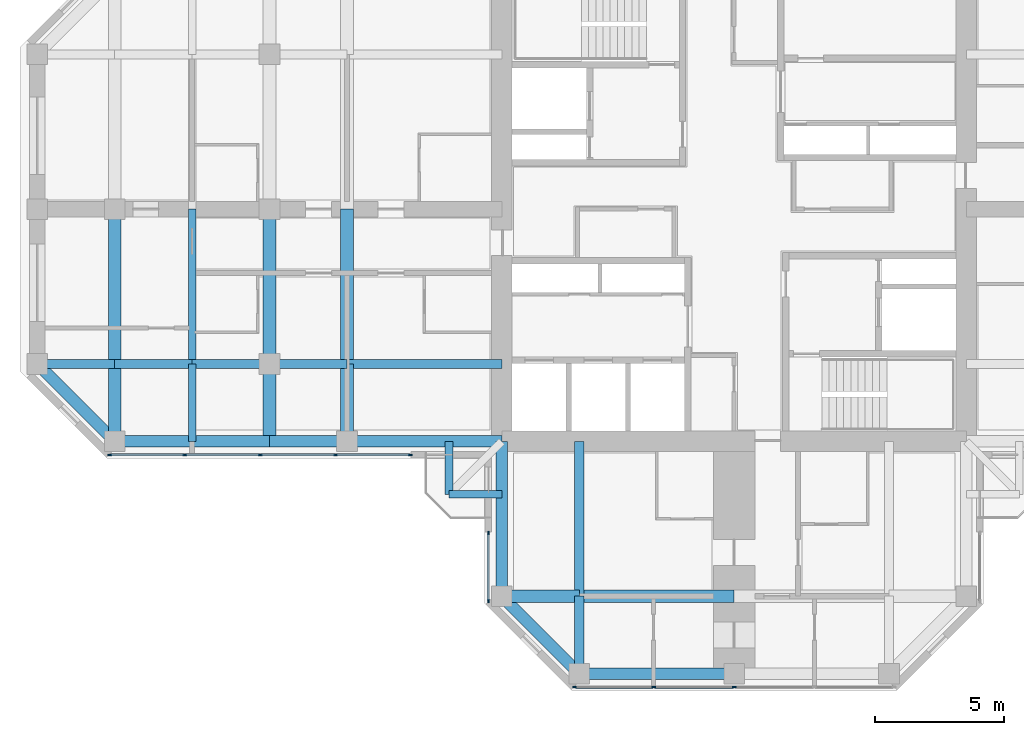
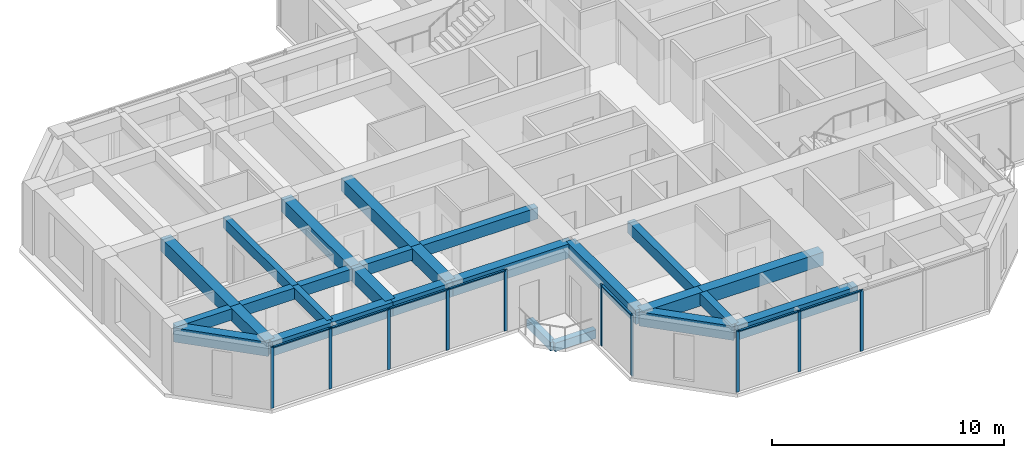
# One storey, part 2 of 14: 27 beams, 17 members, 3 elements without a shape of their own.
"""IFC4 building model written with IfcOpenShell, lengths in metres."""

from ifc_helpers import new_model, si_unit, direction, frame, origin, origin_2d, place, context, subcontext, project, spatial, rectangle, extrude, material, material_profile, profile_set, type_object, element, aggregate, save


model = new_model("IFC4")

# Units and contexts
model_context = context("Model", 3, precision=1e-05, world=origin(), true_north=direction((0.0, 1.0)))
body_context = subcontext(model_context, "Body", "Model", "MODEL_VIEW")
ifc_project = project(units=[si_unit("LENGTHUNIT", "METRE"), si_unit("AREAUNIT", "SQUARE_METRE"), si_unit("VOLUMEUNIT", "CUBIC_METRE"), si_unit("PLANEANGLEUNIT", "RADIAN"), si_unit("MASSUNIT", "GRAM", prefix="KILO")], contexts=[model_context])

# Site, building, storey
site_placement = place(None, origin())
site = spatial("IfcSite", under=ifc_project, at=site_placement, CompositionType="ELEMENT")
building_placement = place(site_placement, origin())
building = spatial("IfcBuilding", under=site, at=building_placement, Name="Torre Cruceta", CompositionType="ELEMENT")
storey_placement = place(building_placement, frame((0.0, 0.0, 225.5)))
storey = spatial("IfcBuildingStorey", under=building, at=storey_placement, Name="L57", CompositionType="ELEMENT", Elevation=225.5)

# Beams
ifc_material_1 = material(Name="Concrete G60 (fck 60 MPa)", Category="concrete")
ifc_material_profile_1 = material_profile(ifc_material_1, rectangle(XDim=0.300048828125, YDim=0.449951171875, at=origin_2d()), Name="RC 300X450")
ifc_profile_set_1 = profile_set([ifc_material_profile_1], Name="Concrete G60 (fck 60 MPa)")
beam_type_1 = type_object("IfcBeamType", Name="BALCONY CANTILEVER BEAM RC 300X450", PredefinedType="BEAM", material=ifc_profile_set_1)
for number, where, z_axis, x_axis, name in (
    (1, (-11.050537109375, -9.0, -0.405029296875), (0.0, -1.0, 0.0), (1.0, 0.0, 0.0), "BB1 balcony edge beam L57 W-X"),
    (2, (-9.0, -11.050537109375, -0.405029296875), (-1.0, 0.0, 0.0), (0.0, -1.0, 0.0), "BB1 balcony edge beam L57 W-Y"),
):
    element("IfcBeam", number, at=place(storey_placement, frame(where, z_axis=z_axis, x_axis=x_axis)), inside=storey, type_object=beam_type_1, Name=name, PredefinedType="BEAM", context=body_context, shape_type="SweptSolid", body=[
        extrude(rectangle(XDim=0.300048828125, YDim=0.449951171875, at=origin_2d()), origin(), (0.0, 0.0, 1.0), 2.050537109375),
    ])
ifc_material_2 = material(Name="Concrete G60 (fck 60 MPa)", Category="concrete")
ifc_material_profile_2 = material_profile(ifc_material_2, rectangle(XDim=0.35009765625, YDim=0.60009765625, at=origin_2d()), Name="RC 350X600")
ifc_profile_set_2 = profile_set([ifc_material_profile_2], Name="Concrete G60 (fck 60 MPa)")
beam_type_2 = type_object("IfcBeamType", Name="COLUMN LINE BEAM RC 350X600", PredefinedType="BEAM", material=ifc_profile_set_2)
beam_1_placement = place(storey_placement, frame((-6.0, -9.0, 2.919921875), z_axis=(0.0, -1.0, 0.0), x_axis=(1.0, 0.0, 0.0)))
element("IfcBeam", 3, at=beam_1_placement, inside=storey, type_object=beam_type_2, Name="LB9 L57 S col- 1", PredefinedType="BEAM", context=body_context, shape_type="SweptSolid", body=[
    extrude(rectangle(XDim=0.35009765625, YDim=0.60009765625, at=origin_2d()), origin(), (0.0, 0.0, 1.0), 6.0),
])
beam_2_placement = place(storey_placement, frame((-6.0, -15.0, 2.919921875), z_axis=(0.0, -1.0, 0.0), x_axis=(1.0, 0.0, 0.0)))
element("IfcBeam", 4, at=beam_2_placement, inside=storey, type_object=beam_type_2, Name="LB9 L57 S col- 2", PredefinedType="BEAM", context=body_context, shape_type="SweptSolid", body=[
    extrude(rectangle(XDim=0.35009765625, YDim=0.60009765625, at=origin_2d()), origin(), (0.0, 0.0, 1.0), 3.0),
])
beam_3_placement = place(storey_placement, frame((-9.0, -6.0, 2.919921875), z_axis=(-1.0, 0.0, 0.0), x_axis=(0.0, -1.0, 0.0)))
element("IfcBeam", 5, at=beam_3_placement, inside=storey, type_object=beam_type_2, Name="LB9 L57 W col+ 1", PredefinedType="BEAM", context=body_context, shape_type="SweptSolid", body=[
    extrude(rectangle(XDim=0.35009765625, YDim=0.60009765625, at=origin_2d()), origin(), (0.0, 0.0, 1.0), 6.0),
])
for number, where, z_axis, x_axis, name in (
    (6, (-15.0, -6.0, 2.919921875), (-1.0, 0.0, 0.0), (0.0, -1.0, 0.0), "LB9 L57 W col+ 2"),
    (7, (-18.0, -6.0, 2.919921875), (-1.0, 0.0, 0.0), (0.0, -1.0, 0.0), "LB9 L57 W col+ 3"),
    (8, (-21.0, -6.0, 2.919921875), (-1.0, 0.0, 0.0), (0.0, -1.0, 0.0), "LB9 L57 W col+ 4"),
    (9, (-24.0, -6.0, 2.919921875), (-1.0, 0.0, 0.0), (0.0, -1.0, 0.0), "LB9 L57 W col+ 5"),
):
    element("IfcBeam", number, at=place(storey_placement, frame(where, z_axis=z_axis, x_axis=x_axis)), inside=storey, type_object=beam_type_2, Name=name, PredefinedType="BEAM", context=body_context, shape_type="SweptSolid", body=[
        extrude(rectangle(XDim=0.35009765625, YDim=0.60009765625, at=origin_2d()), origin(), (0.0, 0.0, 1.0), 3.0),
    ])
ifc_material_3 = material(Name="Concrete G60 (fck 60 MPa)", Category="concrete")
ifc_material_profile_3 = material_profile(ifc_material_3, rectangle(XDim=0.5, YDim=0.699951171875, at=origin_2d()), Name="RC 500X700")
ifc_profile_set_3 = profile_set([ifc_material_profile_3], Name="Concrete G60 (fck 60 MPa)")
beam_type_3 = type_object("IfcBeamType", Name="CROSS BEAM RC 500X700", PredefinedType="BEAM", material=ifc_profile_set_3)
beam_4_placement = place(storey_placement, frame((-9.0, -15.0, 2.8701171875), z_axis=(1.0, 0.0, 0.0), x_axis=(0.0, 1.0, 0.0)))
element("IfcBeam", 10, at=beam_4_placement, inside=storey, type_object=beam_type_3, Name="GB7 L57 S cross15 1", PredefinedType="BEAM", context=body_context, shape_type="SweptSolid", body=[
    extrude(rectangle(XDim=0.5, YDim=0.699951171875, at=origin_2d()), origin(), (0.0, 0.0, 1.0), 3.0),
])
for number, where, z_axis, x_axis, name in (
    (11, (-6.0, -15.0, 2.8701171875), (1.0, 0.0, 0.0), (0.0, 1.0, 0.0), "GB7 L57 S cross15 2"),
    (12, (-15.0, 0.0, 2.8701171875), (0.0, -1.0, 0.0), (1.0, 0.0, 0.0), "GB7 L57 W cross15 3"),
):
    element("IfcBeam", number, at=place(storey_placement, frame(where, z_axis=z_axis, x_axis=x_axis)), inside=storey, type_object=beam_type_3, Name=name, PredefinedType="BEAM", context=body_context, shape_type="SweptSolid", body=[
        extrude(rectangle(XDim=0.5, YDim=0.699951171875, at=origin_2d()), origin(), (0.0, 0.0, 1.0), 6.0),
    ])
beam_5_placement = place(storey_placement, frame((-15.0, -6.0, 2.8701171875), z_axis=(0.0, -1.0, 0.0), x_axis=(1.0, 0.0, 0.0)))
element("IfcBeam", 13, at=beam_5_placement, inside=storey, type_object=beam_type_3, Name="GB7 L57 W cross15 4", PredefinedType="BEAM", context=body_context, shape_type="SweptSolid", body=[
    extrude(rectangle(XDim=0.5, YDim=0.699951171875, at=origin_2d()), origin(), (0.0, 0.0, 1.0), 3.0),
])
beam_6_placement = place(storey_placement, frame((-18.0, 0.0, 2.8701171875), z_axis=(0.0, -1.0, 0.0), x_axis=(1.0, 0.0, 0.0)))
element("IfcBeam", 14, at=beam_6_placement, inside=storey, type_object=beam_type_3, Name="GB7 L57 W cross18 3", PredefinedType="BEAM", context=body_context, shape_type="SweptSolid", body=[
    extrude(rectangle(XDim=0.5, YDim=0.699951171875, at=origin_2d()), origin(), (0.0, 0.0, 1.0), 6.0),
])
beam_7_placement = place(storey_placement, frame((-18.0, -6.0, 2.8701171875), z_axis=(0.0, -1.0, 0.0), x_axis=(1.0, 0.0, 0.0)))
element("IfcBeam", 15, at=beam_7_placement, inside=storey, type_object=beam_type_3, Name="GB7 L57 W cross18 4", PredefinedType="BEAM", context=body_context, shape_type="SweptSolid", body=[
    extrude(rectangle(XDim=0.5, YDim=0.699951171875, at=origin_2d()), origin(), (0.0, 0.0, 1.0), 3.0),
])
beam_8_placement = place(storey_placement, frame((-24.0, 0.0, 2.8701171875), z_axis=(0.0, -1.0, 0.0), x_axis=(1.0, 0.0, 0.0)))
element("IfcBeam", 16, at=beam_8_placement, inside=storey, type_object=beam_type_3, Name="GB7 L57 W cross24 3", PredefinedType="BEAM", context=body_context, shape_type="SweptSolid", body=[
    extrude(rectangle(XDim=0.5, YDim=0.699951171875, at=origin_2d()), origin(), (0.0, 0.0, 1.0), 6.0),
])
beam_9_placement = place(storey_placement, frame((-24.0, -6.0, 2.8701171875), z_axis=(0.0, -1.0, 0.0), x_axis=(1.0, 0.0, 0.0)))
element("IfcBeam", 17, at=beam_9_placement, inside=storey, type_object=beam_type_3, Name="GB7 L57 W cross24 4", PredefinedType="BEAM", context=body_context, shape_type="SweptSolid", body=[
    extrude(rectangle(XDim=0.5, YDim=0.699951171875, at=origin_2d()), origin(), (0.0, 0.0, 1.0), 3.0),
])

# Curtain wall, members
ifc_material_4 = material(Name="Aluminium unitised curtain wall", Category="aluminium")
curtain_wall_type = type_object("IfcCurtainWallType", Name="CURTAIN WALL CW-D CO-LIVING UPPER", PredefinedType="USERDEFINED", material=ifc_material_4)
curtain_wall_1_placement = place(storey_placement, origin())
curtain_wall_1 = element("IfcCurtainWall", 18, at=curtain_wall_1_placement, inside=storey, type_object=curtain_wall_type, Name="CW-D L57 W side 14", ObjectType="UNITISED", PredefinedType="USERDEFINED")
ifc_material_5 = material(Name="Aluminium mullion", Category="aluminium")
ifc_material_profile_4 = material_profile(ifc_material_5, rectangle(XDim=0.06005859375, YDim=0.14990234375, at=origin_2d()), Name="AL 60X150")
ifc_profile_set_4 = profile_set([ifc_material_profile_4], Name="Aluminium mullion")
member_type_1 = type_object("IfcMemberType", Name="CW-D MULLION 60X150", PredefinedType="MULLION", material=ifc_profile_set_4)
member_1_placement = place(storey_placement, frame((-24.185302734375, -9.52001953125, 0.0), z_axis=(0.0, 0.0, 1.0), x_axis=(0.0, 1.0, 0.0)))
member_1 = element("IfcMember", 19, at=member_1_placement, type_object=member_type_1, Name="CW-D mullion 1", PredefinedType="MULLION", context=body_context, shape_type="SweptSolid", body=[
    extrude(rectangle(XDim=0.06005859375, YDim=0.14990234375, at=origin_2d()), origin(), (0.0, 0.0, 1.0), 3.219970703125),
])
member_2_placement = place(storey_placement, frame((-21.29150390625, -9.52001953125, 0.0), z_axis=(0.0, 0.0, 1.0), x_axis=(0.0, 1.0, 0.0)))
member_2 = element("IfcMember", 20, at=member_2_placement, type_object=member_type_1, Name="CW-D mullion 2", PredefinedType="MULLION", context=body_context, shape_type="SweptSolid", body=[
    extrude(rectangle(XDim=0.06005859375, YDim=0.14990234375, at=origin_2d()), origin(), (0.0, 0.0, 1.0), 3.219970703125),
])
member_3_placement = place(storey_placement, frame((-18.36767578125, -9.52001953125, 0.0), z_axis=(0.0, 0.0, 1.0), x_axis=(0.0, 1.0, 0.0)))
member_3 = element("IfcMember", 21, at=member_3_placement, type_object=member_type_1, Name="CW-D mullion 3", PredefinedType="MULLION", context=body_context, shape_type="SweptSolid", body=[
    extrude(rectangle(XDim=0.06005859375, YDim=0.14990234375, at=origin_2d()), origin(), (0.0, 0.0, 1.0), 3.219970703125),
])
member_4_placement = place(storey_placement, frame((-15.44384765625, -9.52001953125, 0.0), z_axis=(0.0, 0.0, 1.0), x_axis=(0.0, 1.0, 0.0)))
member_4 = element("IfcMember", 22, at=member_4_placement, type_object=member_type_1, Name="CW-D mullion 4", PredefinedType="MULLION", context=body_context, shape_type="SweptSolid", body=[
    extrude(rectangle(XDim=0.06005859375, YDim=0.14990234375, at=origin_2d()), origin(), (0.0, 0.0, 1.0), 3.219970703125),
])
member_5_placement = place(storey_placement, frame((-12.550048828125, -9.52001953125, 0.0), z_axis=(0.0, 0.0, 1.0), x_axis=(0.0, 1.0, 0.0)))
member_5 = element("IfcMember", 23, at=member_5_placement, type_object=member_type_1, Name="CW-D mullion 5", PredefinedType="MULLION", context=body_context, shape_type="SweptSolid", body=[
    extrude(rectangle(XDim=0.06005859375, YDim=0.14990234375, at=origin_2d()), origin(), (0.0, 0.0, 1.0), 3.219970703125),
])

curtain_wall_2_placement = place(storey_placement, origin())
curtain_wall_2 = element("IfcCurtainWall", 24, at=curtain_wall_2_placement, inside=storey, type_object=curtain_wall_type, Name="CW-D L57 S side 15", ObjectType="UNITISED", PredefinedType="USERDEFINED")
member_6_placement = place(storey_placement, frame((-9.52001953125, -12.550048828125, 0.0), z_axis=(0.0, 0.0, 1.0), x_axis=(1.0, 0.0, 0.0)))
member_6 = element("IfcMember", 25, at=member_6_placement, type_object=member_type_1, Name="CW-D mullion 1", PredefinedType="MULLION", context=body_context, shape_type="SweptSolid", body=[
    extrude(rectangle(XDim=0.06005859375, YDim=0.14990234375, at=origin_2d()), origin(), (0.0, 0.0, 1.0), 3.219970703125),
])
member_7_placement = place(storey_placement, frame((-9.52001953125, -15.185302734375, 0.0), z_axis=(0.0, 0.0, 1.0), x_axis=(1.0, 0.0, 0.0)))
member_7 = element("IfcMember", 26, at=member_7_placement, type_object=member_type_1, Name="CW-D mullion 2", PredefinedType="MULLION", context=body_context, shape_type="SweptSolid", body=[
    extrude(rectangle(XDim=0.06005859375, YDim=0.14990234375, at=origin_2d()), origin(), (0.0, 0.0, 1.0), 3.219970703125),
])

curtain_wall_3_placement = place(storey_placement, origin())
curtain_wall_3 = element("IfcCurtainWall", 27, at=curtain_wall_3_placement, inside=storey, type_object=curtain_wall_type, Name="CW-D L57 S tip 17", ObjectType="UNITISED", PredefinedType="USERDEFINED")
member_8_placement = place(storey_placement, frame((-6.185302734375, -18.52001953125, 0.0), z_axis=(0.0, 0.0, 1.0), x_axis=(0.0, 1.0, 0.0)))
member_8 = element("IfcMember", 28, at=member_8_placement, type_object=member_type_1, Name="CW-D mullion 1", PredefinedType="MULLION", context=body_context, shape_type="SweptSolid", body=[
    extrude(rectangle(XDim=0.06005859375, YDim=0.14990234375, at=origin_2d()), origin(), (0.0, 0.0, 1.0), 3.219970703125),
])
member_9_placement = place(storey_placement, frame((-3.107666015625, -18.52001953125, 0.0), z_axis=(0.0, 0.0, 1.0), x_axis=(0.0, 1.0, 0.0)))
member_9 = element("IfcMember", 29, at=member_9_placement, type_object=member_type_1, Name="CW-D mullion 2", PredefinedType="MULLION", context=body_context, shape_type="SweptSolid", body=[
    extrude(rectangle(XDim=0.06005859375, YDim=0.14990234375, at=origin_2d()), origin(), (0.0, 0.0, 1.0), 3.219970703125),
])
member_10_placement = place(storey_placement, frame((0.0, -18.52001953125, 0.0), z_axis=(0.0, 0.0, 1.0), x_axis=(0.0, 1.0, 0.0)))
member_10 = element("IfcMember", 30, at=member_10_placement, type_object=member_type_1, Name="CW-D mullion 3", PredefinedType="MULLION", context=body_context, shape_type="SweptSolid", body=[
    extrude(rectangle(XDim=0.06005859375, YDim=0.14990234375, at=origin_2d()), origin(), (0.0, 0.0, 1.0), 3.219970703125),
])

# Member
ifc_material_6 = material(Name="Aluminium transom", Category="aluminium")
ifc_material_profile_5 = material_profile(ifc_material_6, rectangle(XDim=0.10009765625, YDim=0.06005859375, at=origin_2d()), Name="AL 100X60")
ifc_profile_set_5 = profile_set([ifc_material_profile_5], Name="Aluminium transom")
member_type_2 = type_object("IfcMemberType", Name="CW-D TRANSOM 60X100", PredefinedType="USERDEFINED", material=ifc_profile_set_5)
member_11_placement = place(storey_placement, frame((-24.1552734375, -9.52001953125, 3.18994140625), z_axis=(1.0, 0.0, 0.0), x_axis=(0.0, 1.0, 0.0)))
member_11 = element("IfcMember", 31, at=member_11_placement, type_object=member_type_2, Name="CW-D transom 1", ObjectType="TRANSOM", PredefinedType="USERDEFINED", context=body_context, shape_type="SweptSolid", body=[
    extrude(rectangle(XDim=0.10009765625, YDim=0.06005859375, at=origin_2d()), origin(), (0.0, 0.0, 1.0), 2.833740234375),
])

member_12_placement = place(storey_placement, frame((-21.261474609375, -9.52001953125, 3.18994140625), z_axis=(1.0, 0.0, 0.0), x_axis=(0.0, 1.0, 0.0)))
member_12 = element("IfcMember", 32, at=member_12_placement, type_object=member_type_2, Name="CW-D transom 2", ObjectType="TRANSOM", PredefinedType="USERDEFINED", context=body_context, shape_type="SweptSolid", body=[
    extrude(rectangle(XDim=0.10009765625, YDim=0.06005859375, at=origin_2d()), origin(), (0.0, 0.0, 1.0), 2.86376953125),
])

member_13_placement = place(storey_placement, frame((-18.337646484375, -9.52001953125, 3.18994140625), z_axis=(1.0, 0.0, 0.0), x_axis=(0.0, 1.0, 0.0)))
member_13 = element("IfcMember", 33, at=member_13_placement, type_object=member_type_2, Name="CW-D transom 3", ObjectType="TRANSOM", PredefinedType="USERDEFINED", context=body_context, shape_type="SweptSolid", body=[
    extrude(rectangle(XDim=0.10009765625, YDim=0.06005859375, at=origin_2d()), origin(), (0.0, 0.0, 1.0), 2.86376953125),
])

member_14_placement = place(storey_placement, frame((-15.413818359375, -9.52001953125, 3.18994140625), z_axis=(1.0, 0.0, 0.0), x_axis=(0.0, 1.0, 0.0)))
member_14 = element("IfcMember", 34, at=member_14_placement, type_object=member_type_2, Name="CW-D transom 4", ObjectType="TRANSOM", PredefinedType="USERDEFINED", context=body_context, shape_type="SweptSolid", body=[
    extrude(rectangle(XDim=0.10009765625, YDim=0.06005859375, at=origin_2d()), origin(), (0.0, 0.0, 1.0), 2.833740234375),
])

aggregate(curtain_wall_1, [member_1, member_2, member_3, member_4, member_5, member_11, member_12, member_13, member_14])

member_15_placement = place(storey_placement, frame((-9.52001953125, -12.580078125, 3.18994140625), z_axis=(0.0, -1.0, 0.0), x_axis=(1.0, 0.0, 0.0)))
member_15 = element("IfcMember", 35, at=member_15_placement, type_object=member_type_2, Name="CW-D transom 1", ObjectType="TRANSOM", PredefinedType="USERDEFINED", context=body_context, shape_type="SweptSolid", body=[
    extrude(rectangle(XDim=0.10009765625, YDim=0.06005859375, at=origin_2d()), origin(), (0.0, 0.0, 1.0), 2.5751953125),
])

aggregate(curtain_wall_2, [member_6, member_7, member_15])

member_16_placement = place(storey_placement, frame((-6.1552734375, -18.52001953125, 3.18994140625), z_axis=(1.0, 0.0, 0.0), x_axis=(0.0, 1.0, 0.0)))
member_16 = element("IfcMember", 36, at=member_16_placement, type_object=member_type_2, Name="CW-D transom 1", ObjectType="TRANSOM", PredefinedType="USERDEFINED", context=body_context, shape_type="SweptSolid", body=[
    extrude(rectangle(XDim=0.10009765625, YDim=0.06005859375, at=origin_2d()), origin(), (0.0, 0.0, 1.0), 3.017578125),
])

member_17_placement = place(storey_placement, frame((-3.07763671875, -18.52001953125, 3.18994140625), z_axis=(1.0, 0.0, 0.0), x_axis=(0.0, 1.0, 0.0)))
member_17 = element("IfcMember", 37, at=member_17_placement, type_object=member_type_2, Name="CW-D transom 2", ObjectType="TRANSOM", PredefinedType="USERDEFINED", context=body_context, shape_type="SweptSolid", body=[
    extrude(rectangle(XDim=0.10009765625, YDim=0.06005859375, at=origin_2d()), origin(), (0.0, 0.0, 1.0), 3.047607421875),
])

aggregate(curtain_wall_3, [member_8, member_9, member_10, member_16, member_17])

# Beams
ifc_material_7 = material(Name="Concrete G60 (fck 60 MPa)", Category="concrete")
ifc_material_profile_6 = material_profile(ifc_material_7, rectangle(XDim=0.300048828125, YDim=0.550048828125, at=origin_2d()), Name="RC 300X550")
ifc_profile_set_6 = profile_set([ifc_material_profile_6], Name="Concrete G60 (fck 60 MPa)")
beam_type_4 = type_object("IfcBeamType", Name="SECONDARY BEAM RC 300X550", PredefinedType="JOIST", material=ifc_profile_set_6)
beam_10_placement = place(storey_placement, frame((-21.0, 0.0, 2.945068359375), z_axis=(0.0, -1.0, 0.0), x_axis=(1.0, 0.0, 0.0)))
element("IfcBeam", 38, at=beam_10_placement, inside=storey, type_object=beam_type_4, Name="JB7 L57 W sec21 3", PredefinedType="JOIST", context=body_context, shape_type="SweptSolid", body=[
    extrude(rectangle(XDim=0.300048828125, YDim=0.550048828125, at=origin_2d()), origin(), (0.0, 0.0, 1.0), 6.0),
])
beam_11_placement = place(storey_placement, frame((-21.0, -6.0, 2.945068359375), z_axis=(0.0, -1.0, 0.0), x_axis=(1.0, 0.0, 0.0)))
element("IfcBeam", 39, at=beam_11_placement, inside=storey, type_object=beam_type_4, Name="JB7 L57 W sec21 4", PredefinedType="JOIST", context=body_context, shape_type="SweptSolid", body=[
    extrude(rectangle(XDim=0.300048828125, YDim=0.550048828125, at=origin_2d()), origin(), (0.0, 0.0, 1.0), 3.0),
])
ifc_material_8 = material(Name="Concrete G60 (fck 60 MPa)", Category="concrete")
ifc_material_profile_7 = material_profile(ifc_material_8, rectangle(XDim=0.449951171875, YDim=0.75, at=origin_2d()), Name="RC 450X750")
ifc_profile_set_7 = profile_set([ifc_material_profile_7], Name="Concrete G60 (fck 60 MPa)")
beam_type_5 = type_object("IfcBeamType", Name="SPANDREL BEAM RC 450X750", PredefinedType="SPANDREL", material=ifc_profile_set_7)
beam_12_placement = place(storey_placement, frame((-9.0, -9.0, 2.844970703125), z_axis=(0.0, -1.0, 0.0), x_axis=(1.0, 0.0, 0.0)))
element("IfcBeam", 40, at=beam_12_placement, inside=storey, type_object=beam_type_5, Name="SB7 L57 S side- 1", PredefinedType="SPANDREL", context=body_context, shape_type="SweptSolid", body=[
    extrude(rectangle(XDim=0.449951171875, YDim=0.75, at=origin_2d()), origin(), (0.0, 0.0, 1.0), 6.0),
])
beam_13_placement = place(storey_placement, frame((-9.0, -15.0, 2.844970703125), z_axis=(0.707106781187, -0.707106781187, 0.0), x_axis=(0.707106781187, 0.707106781187, 0.0)))
element("IfcBeam", 41, at=beam_13_placement, inside=storey, type_object=beam_type_5, Name="SB7 L57 S side- 2", PredefinedType="SPANDREL", context=body_context, shape_type="SweptSolid", body=[
    extrude(rectangle(XDim=0.449951171875, YDim=0.75, at=origin_2d()), origin(), (0.0, 0.0, 1.0), 4.24267578125),
])
for number, where, z_axis, x_axis, name in (
    (42, (-6.0, -18.0, 2.844970703125), (1.0, 0.0, 0.0), (0.0, 1.0, 0.0), "SB7 L57 S tip 1"),
    (43, (-9.0, -9.0, 2.844970703125), (-1.0, 0.0, 0.0), (0.0, -1.0, 0.0), "SB7 L57 W side+ 1"),
):
    element("IfcBeam", number, at=place(storey_placement, frame(where, z_axis=z_axis, x_axis=x_axis)), inside=storey, type_object=beam_type_5, Name=name, PredefinedType="SPANDREL", context=body_context, shape_type="SweptSolid", body=[
        extrude(rectangle(XDim=0.449951171875, YDim=0.75, at=origin_2d()), origin(), (0.0, 0.0, 1.0), 6.0),
    ])
for number, where, z_axis, x_axis, name in (
    (44, (-15.0, -9.0, 2.844970703125), (-1.0, 0.0, 0.0), (0.0, -1.0, 0.0), "SB7 L57 W side+ 2"),
    (45, (-18.0, -9.0, 2.844970703125), (-1.0, 0.0, 0.0), (0.0, -1.0, 0.0), "SB7 L57 W side+ 3"),
    (46, (-21.0, -9.0, 2.844970703125), (-1.0, 0.0, 0.0), (0.0, -1.0, 0.0), "SB7 L57 W side+ 4"),
):
    element("IfcBeam", number, at=place(storey_placement, frame(where, z_axis=z_axis, x_axis=x_axis)), inside=storey, type_object=beam_type_5, Name=name, PredefinedType="SPANDREL", context=body_context, shape_type="SweptSolid", body=[
        extrude(rectangle(XDim=0.449951171875, YDim=0.75, at=origin_2d()), origin(), (0.0, 0.0, 1.0), 3.0),
    ])
beam_14_placement = place(storey_placement, frame((-24.0, -9.0, 2.844970703125), z_axis=(-0.707106781187, 0.707106781187, 0.0), x_axis=(-0.707106781187, -0.707106781187, 0.0)))
element("IfcBeam", 47, at=beam_14_placement, inside=storey, type_object=beam_type_5, Name="SB7 L57 W side+ 5", PredefinedType="SPANDREL", context=body_context, shape_type="SweptSolid", body=[
    extrude(rectangle(XDim=0.449951171875, YDim=0.75, at=origin_2d()), origin(), (0.0, 0.0, 1.0), 4.24267578125),
])

save(model, "model.ifc")
